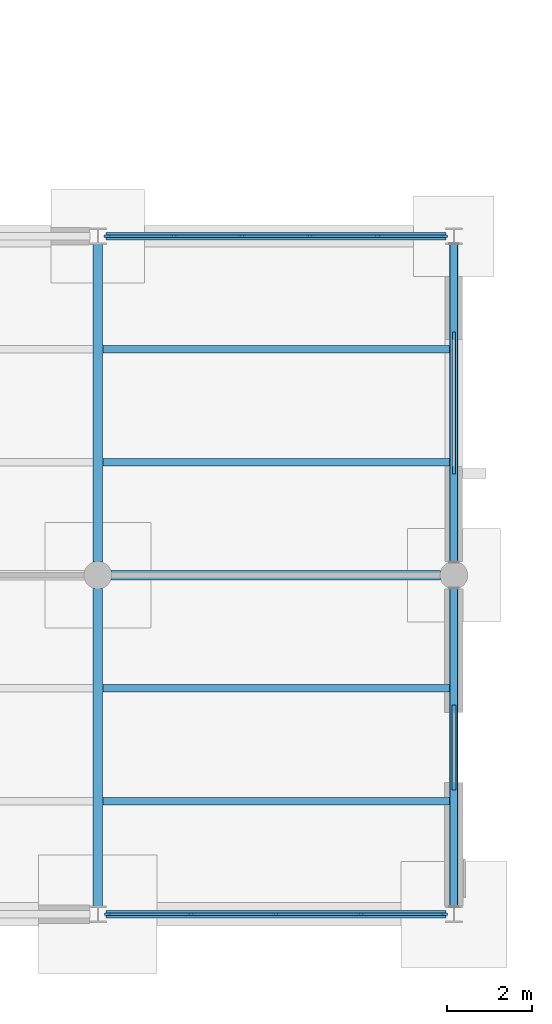
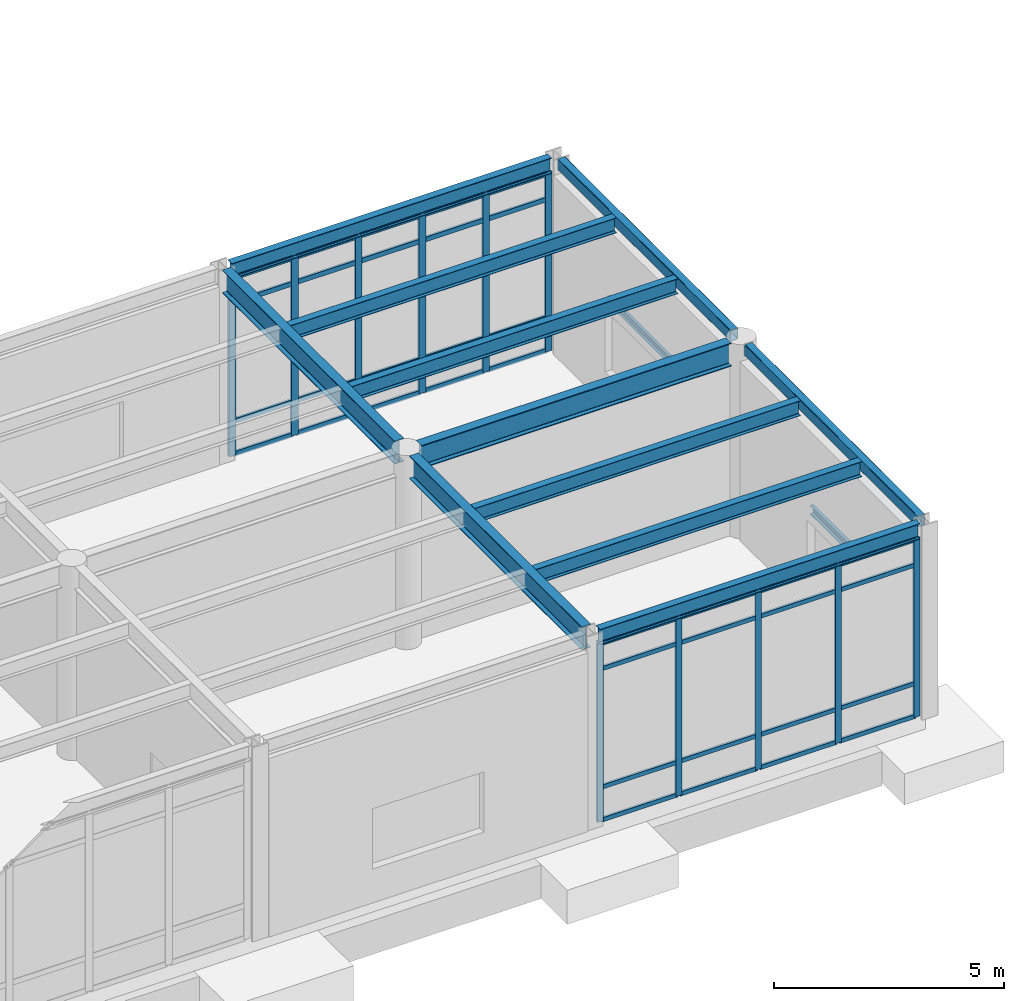
# One storey, part 54 of 138: 47 members, 13 beams, 2 elements without a shape of their own.
"""IFC4 building model written with IfcOpenShell, lengths in metres."""

from ifc_helpers import new_model, si_unit, direction, frame, origin, origin_2d, place, context, subcontext, project, spatial, rectangle, hollow_rectangle, i_section, u_section, extrude, material, layer, layer_set, material_profile, profile_set, type_object, element, aggregate, save


model = new_model("IFC4")

# Units and contexts
model_context = context("Model", 3, precision=1e-05, world=origin(), true_north=direction((0.0, 1.0)))
body_context = subcontext(model_context, "Body", "Model", "MODEL_VIEW")
ifc_project = project(units=[si_unit("LENGTHUNIT", "METRE"), si_unit("AREAUNIT", "SQUARE_METRE"), si_unit("VOLUMEUNIT", "CUBIC_METRE"), si_unit("PLANEANGLEUNIT", "RADIAN"), si_unit("MASSUNIT", "GRAM", prefix="KILO")], contexts=[model_context])

# Site, building, storey
site_placement = place(None, origin())
site = spatial("IfcSite", under=ifc_project, at=site_placement, CompositionType="ELEMENT")
building_placement = place(site_placement, origin())
building = spatial("IfcBuilding", under=site, at=building_placement, Name="Kranzveld Transit Interchange", CompositionType="ELEMENT")
storey_placement = place(building_placement, origin())
storey = spatial("IfcBuildingStorey", under=building, at=storey_placement, Name="L00", CompositionType="ELEMENT", Elevation=0.0)

# Curtain wall, members
ifc_material_1 = material(Name="Bronze-anodised thermally broken aluminium", Category="aluminium")
ifc_layer_1 = layer(ifc_material_1, 0.159912109375)
ifc_layer_set_1 = layer_set([ifc_layer_1], Name="Bronze-anodised thermally broken aluminium")
curtain_wall_type_1 = type_object("IfcCurtainWallType", Name="Bus Boarding Glazed Screen CW-3", PredefinedType="USERDEFINED", material=ifc_layer_set_1)
curtain_wall_1_placement = place(storey_placement, origin())
curtain_wall_1 = element("IfcCurtainWall", 1, at=curtain_wall_1_placement, inside=storey, type_object=curtain_wall_type_1, Name="L00 Curtain Wall 20/A-21/A", ObjectType="CURTAIN WALL", PredefinedType="USERDEFINED")
ifc_material_2 = material(Name="Bronze-anodised thermally broken aluminium", Category="aluminium")
ifc_material_profile_1 = material_profile(ifc_material_2, rectangle(XDim=0.06005859375, YDim=0.14990234375, at=origin_2d()), Name="ALU MULLION 60x150")
ifc_profile_set_1 = profile_set([ifc_material_profile_1], Name="Bronze-anodised thermally broken aluminium")
member_type_1 = type_object("IfcMemberType", Name="Curtain Wall Mullion 60x150 Alu", PredefinedType="MULLION", material=ifc_profile_set_1)
member_1_placement = place(storey_placement, frame((159.82958984375, 0.0, 0.0), z_axis=(0.0, 0.0, 1.0), x_axis=(0.0, 1.0, 0.0)))
member_1 = element("IfcMember", 2, at=member_1_placement, type_object=member_type_1, Name="CW-3 mullion 1", PredefinedType="MULLION", context=body_context, shape_type="SweptSolid", body=[
    extrude(rectangle(XDim=0.06005859375, YDim=0.14990234375, at=origin_2d()), origin(), (0.0, 0.0, 1.0), 4.740478515625),
])
member_2_placement = place(storey_placement, frame((161.7998046875, 0.0, 0.0), z_axis=(0.0, 0.0, 1.0), x_axis=(0.0, 1.0, 0.0)))
member_2 = element("IfcMember", 3, at=member_2_placement, type_object=member_type_1, Name="CW-3 mullion 2", PredefinedType="MULLION", context=body_context, shape_type="SweptSolid", body=[
    extrude(rectangle(XDim=0.06005859375, YDim=0.14990234375, at=origin_2d()), origin(), (0.0, 0.0, 1.0), 4.740478515625),
])
member_3_placement = place(storey_placement, frame((163.800048828125, 0.0, 0.0), z_axis=(0.0, 0.0, 1.0), x_axis=(0.0, 1.0, 0.0)))
member_3 = element("IfcMember", 4, at=member_3_placement, type_object=member_type_1, Name="CW-3 mullion 3", PredefinedType="MULLION", context=body_context, shape_type="SweptSolid", body=[
    extrude(rectangle(XDim=0.06005859375, YDim=0.14990234375, at=origin_2d()), origin(), (0.0, 0.0, 1.0), 4.740478515625),
])
member_4_placement = place(storey_placement, frame((165.80029296875, 0.0, 0.0), z_axis=(0.0, 0.0, 1.0), x_axis=(0.0, 1.0, 0.0)))
member_4 = element("IfcMember", 5, at=member_4_placement, type_object=member_type_1, Name="CW-3 mullion 4", PredefinedType="MULLION", context=body_context, shape_type="SweptSolid", body=[
    extrude(rectangle(XDim=0.06005859375, YDim=0.14990234375, at=origin_2d()), origin(), (0.0, 0.0, 1.0), 4.740478515625),
])
member_5_placement = place(storey_placement, frame((167.7705078125, 0.0, 0.0), z_axis=(0.0, 0.0, 1.0), x_axis=(0.0, 1.0, 0.0)))
member_5 = element("IfcMember", 6, at=member_5_placement, type_object=member_type_1, Name="CW-3 mullion 5", PredefinedType="MULLION", context=body_context, shape_type="SweptSolid", body=[
    extrude(rectangle(XDim=0.06005859375, YDim=0.14990234375, at=origin_2d()), origin(), (0.0, 0.0, 1.0), 4.740478515625),
])

ifc_material_3 = material(Name="Bronze-anodised thermally broken aluminium", Category="aluminium")
ifc_layer_2 = layer(ifc_material_3, 0.1650390625)
ifc_layer_set_2 = layer_set([ifc_layer_2], Name="Bronze-anodised thermally broken aluminium")
curtain_wall_type_2 = type_object("IfcCurtainWallType", Name="Sunny Court Arcade Curtain Wall CW-2", PredefinedType="USERDEFINED", material=ifc_layer_set_2)
curtain_wall_2_placement = place(storey_placement, origin())
curtain_wall_2 = element("IfcCurtainWall", 7, at=curtain_wall_2_placement, inside=storey, type_object=curtain_wall_type_2, Name="L00 Curtain Wall 20/C-21/C", ObjectType="CURTAIN WALL", PredefinedType="USERDEFINED")
ifc_material_4 = material(Name="Bronze-anodised thermally broken aluminium", Category="aluminium")
ifc_material_profile_2 = material_profile(ifc_material_4, rectangle(XDim=0.06494140625, YDim=0.1650390625, at=origin_2d()), Name="ALU MULLION 65x165")
ifc_profile_set_2 = profile_set([ifc_material_profile_2], Name="Bronze-anodised thermally broken aluminium")
member_type_2 = type_object("IfcMemberType", Name="Curtain Wall Mullion 65x165 Alu", PredefinedType="MULLION", material=ifc_profile_set_2)
member_6_placement = place(storey_placement, frame((159.83203125, 16.0, 0.0), z_axis=(0.0, 0.0, 1.0), x_axis=(0.0, 1.0, 0.0)))
member_6 = element("IfcMember", 8, at=member_6_placement, type_object=member_type_2, Name="CW-2 mullion 1", PredefinedType="MULLION", context=body_context, shape_type="SweptSolid", body=[
    extrude(rectangle(XDim=0.06494140625, YDim=0.1650390625, at=origin_2d()), origin(), (0.0, 0.0, 1.0), 4.740478515625),
])
member_7_placement = place(storey_placement, frame((161.399658203125, 16.0, 0.0), z_axis=(0.0, 0.0, 1.0), x_axis=(0.0, 1.0, 0.0)))
member_7 = element("IfcMember", 9, at=member_7_placement, type_object=member_type_2, Name="CW-2 mullion 2", PredefinedType="MULLION", context=body_context, shape_type="SweptSolid", body=[
    extrude(rectangle(XDim=0.06494140625, YDim=0.1650390625, at=origin_2d()), origin(), (0.0, 0.0, 1.0), 4.740478515625),
])
member_8_placement = place(storey_placement, frame((163.0, 16.0, 0.0), z_axis=(0.0, 0.0, 1.0), x_axis=(0.0, 1.0, 0.0)))
member_8 = element("IfcMember", 10, at=member_8_placement, type_object=member_type_2, Name="CW-2 mullion 3", PredefinedType="MULLION", context=body_context, shape_type="SweptSolid", body=[
    extrude(rectangle(XDim=0.06494140625, YDim=0.1650390625, at=origin_2d()), origin(), (0.0, 0.0, 1.0), 4.740478515625),
])
member_9_placement = place(storey_placement, frame((164.60009765625, 16.0, 0.0), z_axis=(0.0, 0.0, 1.0), x_axis=(0.0, 1.0, 0.0)))
member_9 = element("IfcMember", 11, at=member_9_placement, type_object=member_type_2, Name="CW-2 mullion 4", PredefinedType="MULLION", context=body_context, shape_type="SweptSolid", body=[
    extrude(rectangle(XDim=0.06494140625, YDim=0.1650390625, at=origin_2d()), origin(), (0.0, 0.0, 1.0), 4.740478515625),
])
member_10_placement = place(storey_placement, frame((166.2001953125, 16.0, 0.0), z_axis=(0.0, 0.0, 1.0), x_axis=(0.0, 1.0, 0.0)))
member_10 = element("IfcMember", 12, at=member_10_placement, type_object=member_type_2, Name="CW-2 mullion 5", PredefinedType="MULLION", context=body_context, shape_type="SweptSolid", body=[
    extrude(rectangle(XDim=0.06494140625, YDim=0.1650390625, at=origin_2d()), origin(), (0.0, 0.0, 1.0), 4.740478515625),
])
member_11_placement = place(storey_placement, frame((167.76806640625, 16.0, 0.0), z_axis=(0.0, 0.0, 1.0), x_axis=(0.0, 1.0, 0.0)))
member_11 = element("IfcMember", 13, at=member_11_placement, type_object=member_type_2, Name="CW-2 mullion 6", PredefinedType="MULLION", context=body_context, shape_type="SweptSolid", body=[
    extrude(rectangle(XDim=0.06494140625, YDim=0.1650390625, at=origin_2d()), origin(), (0.0, 0.0, 1.0), 4.740478515625),
])

# Member
ifc_material_5 = material(Name="Bronze-anodised thermally broken aluminium", Category="aluminium")
ifc_material_profile_3 = material_profile(ifc_material_5, rectangle(XDim=0.06005859375, YDim=0.110107421875, at=origin_2d()), Name="ALU TRANSOM 60x110")
ifc_profile_set_3 = profile_set([ifc_material_profile_3], Name="Bronze-anodised thermally broken aluminium")
member_type_3 = type_object("IfcMemberType", Name="Curtain Wall Transom 60x110 Alu", PredefinedType="USERDEFINED", material=ifc_profile_set_3)
member_12_placement = place(storey_placement, frame((159.859619140625, 0.0, 0.030029296875), z_axis=(1.0, 0.0, 0.0), x_axis=(0.0, 1.0, 0.0)))
member_12 = element("IfcMember", 14, at=member_12_placement, type_object=member_type_3, Name="CW-3 transom 1.1", ObjectType="TRANSOM", PredefinedType="USERDEFINED", context=body_context, shape_type="SweptSolid", body=[
    extrude(rectangle(XDim=0.06005859375, YDim=0.110107421875, at=origin_2d()), origin(), (0.0, 0.0, 1.0), 1.91015625),
])

member_13_placement = place(storey_placement, frame((159.859619140625, 0.0, 0.89990234375), z_axis=(1.0, 0.0, 0.0), x_axis=(0.0, 1.0, 0.0)))
member_13 = element("IfcMember", 15, at=member_13_placement, type_object=member_type_3, Name="CW-3 transom 1.2", ObjectType="TRANSOM", PredefinedType="USERDEFINED", context=body_context, shape_type="SweptSolid", body=[
    extrude(rectangle(XDim=0.06005859375, YDim=0.110107421875, at=origin_2d()), origin(), (0.0, 0.0, 1.0), 1.91015625),
])

member_14_placement = place(storey_placement, frame((159.859619140625, 0.0, 4.04052734375), z_axis=(1.0, 0.0, 0.0), x_axis=(0.0, 1.0, 0.0)))
member_14 = element("IfcMember", 16, at=member_14_placement, type_object=member_type_3, Name="CW-3 transom 1.3", ObjectType="TRANSOM", PredefinedType="USERDEFINED", context=body_context, shape_type="SweptSolid", body=[
    extrude(rectangle(XDim=0.06005859375, YDim=0.110107421875, at=origin_2d()), origin(), (0.0, 0.0, 1.0), 1.91015625),
])

member_15_placement = place(storey_placement, frame((159.859619140625, 0.0, 4.710693359375), z_axis=(1.0, 0.0, 0.0), x_axis=(0.0, 1.0, 0.0)))
member_15 = element("IfcMember", 17, at=member_15_placement, type_object=member_type_3, Name="CW-3 transom 1.4", ObjectType="TRANSOM", PredefinedType="USERDEFINED", context=body_context, shape_type="SweptSolid", body=[
    extrude(rectangle(XDim=0.06005859375, YDim=0.110107421875, at=origin_2d()), origin(), (0.0, 0.0, 1.0), 1.91015625),
])

member_16_placement = place(storey_placement, frame((161.829833984375, 0.0, 0.030029296875), z_axis=(1.0, 0.0, 0.0), x_axis=(0.0, 1.0, 0.0)))
member_16 = element("IfcMember", 18, at=member_16_placement, type_object=member_type_3, Name="CW-3 transom 2.1", ObjectType="TRANSOM", PredefinedType="USERDEFINED", context=body_context, shape_type="SweptSolid", body=[
    extrude(rectangle(XDim=0.06005859375, YDim=0.110107421875, at=origin_2d()), origin(), (0.0, 0.0, 1.0), 1.940185546875),
])

member_17_placement = place(storey_placement, frame((161.829833984375, 0.0, 0.89990234375), z_axis=(1.0, 0.0, 0.0), x_axis=(0.0, 1.0, 0.0)))
member_17 = element("IfcMember", 19, at=member_17_placement, type_object=member_type_3, Name="CW-3 transom 2.2", ObjectType="TRANSOM", PredefinedType="USERDEFINED", context=body_context, shape_type="SweptSolid", body=[
    extrude(rectangle(XDim=0.06005859375, YDim=0.110107421875, at=origin_2d()), origin(), (0.0, 0.0, 1.0), 1.940185546875),
])

member_18_placement = place(storey_placement, frame((161.829833984375, 0.0, 4.04052734375), z_axis=(1.0, 0.0, 0.0), x_axis=(0.0, 1.0, 0.0)))
member_18 = element("IfcMember", 20, at=member_18_placement, type_object=member_type_3, Name="CW-3 transom 2.3", ObjectType="TRANSOM", PredefinedType="USERDEFINED", context=body_context, shape_type="SweptSolid", body=[
    extrude(rectangle(XDim=0.06005859375, YDim=0.110107421875, at=origin_2d()), origin(), (0.0, 0.0, 1.0), 1.940185546875),
])

member_19_placement = place(storey_placement, frame((161.829833984375, 0.0, 4.710693359375), z_axis=(1.0, 0.0, 0.0), x_axis=(0.0, 1.0, 0.0)))
member_19 = element("IfcMember", 21, at=member_19_placement, type_object=member_type_3, Name="CW-3 transom 2.4", ObjectType="TRANSOM", PredefinedType="USERDEFINED", context=body_context, shape_type="SweptSolid", body=[
    extrude(rectangle(XDim=0.06005859375, YDim=0.110107421875, at=origin_2d()), origin(), (0.0, 0.0, 1.0), 1.940185546875),
])

member_20_placement = place(storey_placement, frame((163.830078125, 0.0, 0.030029296875), z_axis=(1.0, 0.0, 0.0), x_axis=(0.0, 1.0, 0.0)))
member_20 = element("IfcMember", 22, at=member_20_placement, type_object=member_type_3, Name="CW-3 transom 3.1", ObjectType="TRANSOM", PredefinedType="USERDEFINED", context=body_context, shape_type="SweptSolid", body=[
    extrude(rectangle(XDim=0.06005859375, YDim=0.110107421875, at=origin_2d()), origin(), (0.0, 0.0, 1.0), 1.940185546875),
])

member_21_placement = place(storey_placement, frame((163.830078125, 0.0, 0.89990234375), z_axis=(1.0, 0.0, 0.0), x_axis=(0.0, 1.0, 0.0)))
member_21 = element("IfcMember", 23, at=member_21_placement, type_object=member_type_3, Name="CW-3 transom 3.2", ObjectType="TRANSOM", PredefinedType="USERDEFINED", context=body_context, shape_type="SweptSolid", body=[
    extrude(rectangle(XDim=0.06005859375, YDim=0.110107421875, at=origin_2d()), origin(), (0.0, 0.0, 1.0), 1.940185546875),
])

member_22_placement = place(storey_placement, frame((163.830078125, 0.0, 4.04052734375), z_axis=(1.0, 0.0, 0.0), x_axis=(0.0, 1.0, 0.0)))
member_22 = element("IfcMember", 24, at=member_22_placement, type_object=member_type_3, Name="CW-3 transom 3.3", ObjectType="TRANSOM", PredefinedType="USERDEFINED", context=body_context, shape_type="SweptSolid", body=[
    extrude(rectangle(XDim=0.06005859375, YDim=0.110107421875, at=origin_2d()), origin(), (0.0, 0.0, 1.0), 1.940185546875),
])

member_23_placement = place(storey_placement, frame((163.830078125, 0.0, 4.710693359375), z_axis=(1.0, 0.0, 0.0), x_axis=(0.0, 1.0, 0.0)))
member_23 = element("IfcMember", 25, at=member_23_placement, type_object=member_type_3, Name="CW-3 transom 3.4", ObjectType="TRANSOM", PredefinedType="USERDEFINED", context=body_context, shape_type="SweptSolid", body=[
    extrude(rectangle(XDim=0.06005859375, YDim=0.110107421875, at=origin_2d()), origin(), (0.0, 0.0, 1.0), 1.940185546875),
])

member_24_placement = place(storey_placement, frame((165.830322265625, 0.0, 0.030029296875), z_axis=(1.0, 0.0, 0.0), x_axis=(0.0, 1.0, 0.0)))
member_24 = element("IfcMember", 26, at=member_24_placement, type_object=member_type_3, Name="CW-3 transom 4.1", ObjectType="TRANSOM", PredefinedType="USERDEFINED", context=body_context, shape_type="SweptSolid", body=[
    extrude(rectangle(XDim=0.06005859375, YDim=0.110107421875, at=origin_2d()), origin(), (0.0, 0.0, 1.0), 1.91015625),
])

member_25_placement = place(storey_placement, frame((165.830322265625, 0.0, 0.89990234375), z_axis=(1.0, 0.0, 0.0), x_axis=(0.0, 1.0, 0.0)))
member_25 = element("IfcMember", 27, at=member_25_placement, type_object=member_type_3, Name="CW-3 transom 4.2", ObjectType="TRANSOM", PredefinedType="USERDEFINED", context=body_context, shape_type="SweptSolid", body=[
    extrude(rectangle(XDim=0.06005859375, YDim=0.110107421875, at=origin_2d()), origin(), (0.0, 0.0, 1.0), 1.91015625),
])

member_26_placement = place(storey_placement, frame((165.830322265625, 0.0, 4.04052734375), z_axis=(1.0, 0.0, 0.0), x_axis=(0.0, 1.0, 0.0)))
member_26 = element("IfcMember", 28, at=member_26_placement, type_object=member_type_3, Name="CW-3 transom 4.3", ObjectType="TRANSOM", PredefinedType="USERDEFINED", context=body_context, shape_type="SweptSolid", body=[
    extrude(rectangle(XDim=0.06005859375, YDim=0.110107421875, at=origin_2d()), origin(), (0.0, 0.0, 1.0), 1.91015625),
])

member_27_placement = place(storey_placement, frame((165.830322265625, 0.0, 4.710693359375), z_axis=(1.0, 0.0, 0.0), x_axis=(0.0, 1.0, 0.0)))
member_27 = element("IfcMember", 29, at=member_27_placement, type_object=member_type_3, Name="CW-3 transom 4.4", ObjectType="TRANSOM", PredefinedType="USERDEFINED", context=body_context, shape_type="SweptSolid", body=[
    extrude(rectangle(XDim=0.06005859375, YDim=0.110107421875, at=origin_2d()), origin(), (0.0, 0.0, 1.0), 1.91015625),
])

aggregate(curtain_wall_1, [member_1, member_2, member_3, member_4, member_5, member_12, member_13, member_14, member_15, member_16, member_17, member_18, member_19, member_20, member_21, member_22, member_23, member_24, member_25, member_26, member_27])

ifc_material_6 = material(Name="Bronze-anodised thermally broken aluminium", Category="aluminium")
ifc_material_profile_4 = material_profile(ifc_material_6, rectangle(XDim=0.06005859375, YDim=0.125, at=origin_2d()), Name="ALU TRANSOM 60x125")
ifc_profile_set_4 = profile_set([ifc_material_profile_4], Name="Bronze-anodised thermally broken aluminium")
member_type_4 = type_object("IfcMemberType", Name="Curtain Wall Transom 60x125 Alu", PredefinedType="USERDEFINED", material=ifc_profile_set_4)
member_28_placement = place(storey_placement, frame((159.864501953125, 16.0, 0.030029296875), z_axis=(1.0, 0.0, 0.0), x_axis=(0.0, 1.0, 0.0)))
member_28 = element("IfcMember", 30, at=member_28_placement, type_object=member_type_4, Name="CW-2 transom 1.1", ObjectType="TRANSOM", PredefinedType="USERDEFINED", context=body_context, shape_type="SweptSolid", body=[
    extrude(rectangle(XDim=0.06005859375, YDim=0.125, at=origin_2d()), origin(), (0.0, 0.0, 1.0), 1.502685546875),
])

member_29_placement = place(storey_placement, frame((159.864501953125, 16.0, 0.89990234375), z_axis=(1.0, 0.0, 0.0), x_axis=(0.0, 1.0, 0.0)))
member_29 = element("IfcMember", 31, at=member_29_placement, type_object=member_type_4, Name="CW-2 transom 1.2", ObjectType="TRANSOM", PredefinedType="USERDEFINED", context=body_context, shape_type="SweptSolid", body=[
    extrude(rectangle(XDim=0.06005859375, YDim=0.125, at=origin_2d()), origin(), (0.0, 0.0, 1.0), 1.502685546875),
])

member_30_placement = place(storey_placement, frame((159.864501953125, 16.0, 4.04052734375), z_axis=(1.0, 0.0, 0.0), x_axis=(0.0, 1.0, 0.0)))
member_30 = element("IfcMember", 32, at=member_30_placement, type_object=member_type_4, Name="CW-2 transom 1.3", ObjectType="TRANSOM", PredefinedType="USERDEFINED", context=body_context, shape_type="SweptSolid", body=[
    extrude(rectangle(XDim=0.06005859375, YDim=0.125, at=origin_2d()), origin(), (0.0, 0.0, 1.0), 1.502685546875),
])

member_31_placement = place(storey_placement, frame((159.864501953125, 16.0, 4.710693359375), z_axis=(1.0, 0.0, 0.0), x_axis=(0.0, 1.0, 0.0)))
member_31 = element("IfcMember", 33, at=member_31_placement, type_object=member_type_4, Name="CW-2 transom 1.4", ObjectType="TRANSOM", PredefinedType="USERDEFINED", context=body_context, shape_type="SweptSolid", body=[
    extrude(rectangle(XDim=0.06005859375, YDim=0.125, at=origin_2d()), origin(), (0.0, 0.0, 1.0), 1.502685546875),
])

member_32_placement = place(storey_placement, frame((161.43212890625, 16.0, 0.030029296875), z_axis=(1.0, 0.0, 0.0), x_axis=(0.0, 1.0, 0.0)))
member_32 = element("IfcMember", 34, at=member_32_placement, type_object=member_type_4, Name="CW-2 transom 2.1", ObjectType="TRANSOM", PredefinedType="USERDEFINED", context=body_context, shape_type="SweptSolid", body=[
    extrude(rectangle(XDim=0.06005859375, YDim=0.125, at=origin_2d()), origin(), (0.0, 0.0, 1.0), 1.53515625),
])

member_33_placement = place(storey_placement, frame((161.43212890625, 16.0, 0.89990234375), z_axis=(1.0, 0.0, 0.0), x_axis=(0.0, 1.0, 0.0)))
member_33 = element("IfcMember", 35, at=member_33_placement, type_object=member_type_4, Name="CW-2 transom 2.2", ObjectType="TRANSOM", PredefinedType="USERDEFINED", context=body_context, shape_type="SweptSolid", body=[
    extrude(rectangle(XDim=0.06005859375, YDim=0.125, at=origin_2d()), origin(), (0.0, 0.0, 1.0), 1.53515625),
])

member_34_placement = place(storey_placement, frame((161.43212890625, 16.0, 4.04052734375), z_axis=(1.0, 0.0, 0.0), x_axis=(0.0, 1.0, 0.0)))
member_34 = element("IfcMember", 36, at=member_34_placement, type_object=member_type_4, Name="CW-2 transom 2.3", ObjectType="TRANSOM", PredefinedType="USERDEFINED", context=body_context, shape_type="SweptSolid", body=[
    extrude(rectangle(XDim=0.06005859375, YDim=0.125, at=origin_2d()), origin(), (0.0, 0.0, 1.0), 1.53515625),
])

member_35_placement = place(storey_placement, frame((161.43212890625, 16.0, 4.710693359375), z_axis=(1.0, 0.0, 0.0), x_axis=(0.0, 1.0, 0.0)))
member_35 = element("IfcMember", 37, at=member_35_placement, type_object=member_type_4, Name="CW-2 transom 2.4", ObjectType="TRANSOM", PredefinedType="USERDEFINED", context=body_context, shape_type="SweptSolid", body=[
    extrude(rectangle(XDim=0.06005859375, YDim=0.125, at=origin_2d()), origin(), (0.0, 0.0, 1.0), 1.53515625),
])

member_36_placement = place(storey_placement, frame((163.032470703125, 16.0, 0.030029296875), z_axis=(1.0, 0.0, 0.0), x_axis=(0.0, 1.0, 0.0)))
member_36 = element("IfcMember", 38, at=member_36_placement, type_object=member_type_4, Name="CW-2 transom 3.1", ObjectType="TRANSOM", PredefinedType="USERDEFINED", context=body_context, shape_type="SweptSolid", body=[
    extrude(rectangle(XDim=0.06005859375, YDim=0.125, at=origin_2d()), origin(), (0.0, 0.0, 1.0), 1.53515625),
])

member_37_placement = place(storey_placement, frame((163.032470703125, 16.0, 0.89990234375), z_axis=(1.0, 0.0, 0.0), x_axis=(0.0, 1.0, 0.0)))
member_37 = element("IfcMember", 39, at=member_37_placement, type_object=member_type_4, Name="CW-2 transom 3.2", ObjectType="TRANSOM", PredefinedType="USERDEFINED", context=body_context, shape_type="SweptSolid", body=[
    extrude(rectangle(XDim=0.06005859375, YDim=0.125, at=origin_2d()), origin(), (0.0, 0.0, 1.0), 1.53515625),
])

member_38_placement = place(storey_placement, frame((163.032470703125, 16.0, 4.04052734375), z_axis=(1.0, 0.0, 0.0), x_axis=(0.0, 1.0, 0.0)))
member_38 = element("IfcMember", 40, at=member_38_placement, type_object=member_type_4, Name="CW-2 transom 3.3", ObjectType="TRANSOM", PredefinedType="USERDEFINED", context=body_context, shape_type="SweptSolid", body=[
    extrude(rectangle(XDim=0.06005859375, YDim=0.125, at=origin_2d()), origin(), (0.0, 0.0, 1.0), 1.53515625),
])

member_39_placement = place(storey_placement, frame((163.032470703125, 16.0, 4.710693359375), z_axis=(1.0, 0.0, 0.0), x_axis=(0.0, 1.0, 0.0)))
member_39 = element("IfcMember", 41, at=member_39_placement, type_object=member_type_4, Name="CW-2 transom 3.4", ObjectType="TRANSOM", PredefinedType="USERDEFINED", context=body_context, shape_type="SweptSolid", body=[
    extrude(rectangle(XDim=0.06005859375, YDim=0.125, at=origin_2d()), origin(), (0.0, 0.0, 1.0), 1.53515625),
])

member_40_placement = place(storey_placement, frame((164.632568359375, 16.0, 0.030029296875), z_axis=(1.0, 0.0, 0.0), x_axis=(0.0, 1.0, 0.0)))
member_40 = element("IfcMember", 42, at=member_40_placement, type_object=member_type_4, Name="CW-2 transom 4.1", ObjectType="TRANSOM", PredefinedType="USERDEFINED", context=body_context, shape_type="SweptSolid", body=[
    extrude(rectangle(XDim=0.06005859375, YDim=0.125, at=origin_2d()), origin(), (0.0, 0.0, 1.0), 1.53515625),
])

member_41_placement = place(storey_placement, frame((164.632568359375, 16.0, 0.89990234375), z_axis=(1.0, 0.0, 0.0), x_axis=(0.0, 1.0, 0.0)))
member_41 = element("IfcMember", 43, at=member_41_placement, type_object=member_type_4, Name="CW-2 transom 4.2", ObjectType="TRANSOM", PredefinedType="USERDEFINED", context=body_context, shape_type="SweptSolid", body=[
    extrude(rectangle(XDim=0.06005859375, YDim=0.125, at=origin_2d()), origin(), (0.0, 0.0, 1.0), 1.53515625),
])

member_42_placement = place(storey_placement, frame((164.632568359375, 16.0, 4.04052734375), z_axis=(1.0, 0.0, 0.0), x_axis=(0.0, 1.0, 0.0)))
member_42 = element("IfcMember", 44, at=member_42_placement, type_object=member_type_4, Name="CW-2 transom 4.3", ObjectType="TRANSOM", PredefinedType="USERDEFINED", context=body_context, shape_type="SweptSolid", body=[
    extrude(rectangle(XDim=0.06005859375, YDim=0.125, at=origin_2d()), origin(), (0.0, 0.0, 1.0), 1.53515625),
])

member_43_placement = place(storey_placement, frame((164.632568359375, 16.0, 4.710693359375), z_axis=(1.0, 0.0, 0.0), x_axis=(0.0, 1.0, 0.0)))
member_43 = element("IfcMember", 45, at=member_43_placement, type_object=member_type_4, Name="CW-2 transom 4.4", ObjectType="TRANSOM", PredefinedType="USERDEFINED", context=body_context, shape_type="SweptSolid", body=[
    extrude(rectangle(XDim=0.06005859375, YDim=0.125, at=origin_2d()), origin(), (0.0, 0.0, 1.0), 1.53515625),
])

member_44_placement = place(storey_placement, frame((166.23291015625, 16.0, 0.030029296875), z_axis=(1.0, 0.0, 0.0), x_axis=(0.0, 1.0, 0.0)))
member_44 = element("IfcMember", 46, at=member_44_placement, type_object=member_type_4, Name="CW-2 transom 5.1", ObjectType="TRANSOM", PredefinedType="USERDEFINED", context=body_context, shape_type="SweptSolid", body=[
    extrude(rectangle(XDim=0.06005859375, YDim=0.125, at=origin_2d()), origin(), (0.0, 0.0, 1.0), 1.502685546875),
])

member_45_placement = place(storey_placement, frame((166.23291015625, 16.0, 0.89990234375), z_axis=(1.0, 0.0, 0.0), x_axis=(0.0, 1.0, 0.0)))
member_45 = element("IfcMember", 47, at=member_45_placement, type_object=member_type_4, Name="CW-2 transom 5.2", ObjectType="TRANSOM", PredefinedType="USERDEFINED", context=body_context, shape_type="SweptSolid", body=[
    extrude(rectangle(XDim=0.06005859375, YDim=0.125, at=origin_2d()), origin(), (0.0, 0.0, 1.0), 1.502685546875),
])

member_46_placement = place(storey_placement, frame((166.23291015625, 16.0, 4.04052734375), z_axis=(1.0, 0.0, 0.0), x_axis=(0.0, 1.0, 0.0)))
member_46 = element("IfcMember", 48, at=member_46_placement, type_object=member_type_4, Name="CW-2 transom 5.3", ObjectType="TRANSOM", PredefinedType="USERDEFINED", context=body_context, shape_type="SweptSolid", body=[
    extrude(rectangle(XDim=0.06005859375, YDim=0.125, at=origin_2d()), origin(), (0.0, 0.0, 1.0), 1.502685546875),
])

member_47_placement = place(storey_placement, frame((166.23291015625, 16.0, 4.710693359375), z_axis=(1.0, 0.0, 0.0), x_axis=(0.0, 1.0, 0.0)))
member_47 = element("IfcMember", 49, at=member_47_placement, type_object=member_type_4, Name="CW-2 transom 5.4", ObjectType="TRANSOM", PredefinedType="USERDEFINED", context=body_context, shape_type="SweptSolid", body=[
    extrude(rectangle(XDim=0.06005859375, YDim=0.125, at=origin_2d()), origin(), (0.0, 0.0, 1.0), 1.502685546875),
])

aggregate(curtain_wall_2, [member_6, member_7, member_8, member_9, member_10, member_11, member_28, member_29, member_30, member_31, member_32, member_33, member_34, member_35, member_36, member_37, member_38, member_39, member_40, member_41, member_42, member_43, member_44, member_45, member_46, member_47])

# Beams
ifc_material_7 = material(Name="Steel S355JR", Category="steel")
ifc_material_profile_5 = material_profile(ifc_material_7, hollow_rectangle(XDim=0.199951171875, YDim=0.300048828125, WallThickness=0.010009765625, InnerFilletRadius=0.014892578125, OuterFilletRadius=0.02490234375, at=origin_2d()), Name="RHS 300x200x10")
ifc_profile_set_5 = profile_set([ifc_material_profile_5], Name="Steel S355JR")
beam_type_1 = type_object("IfcBeamType", Name="Edge Spandrel RHS 300x200x10 S355JR", PredefinedType="SPANDREL", material=ifc_profile_set_5)
for number, where, z_axis, x_axis, name in (
    (50, (168.0, 0.186767578125, 5.0), (0.0, 1.0, 0.0), (-1.0, 0.0, 0.0), "L00 Girder 21/A-B"),
    (51, (168.0, 8.31494140625, 5.0), (0.0, 1.0, 0.0), (-1.0, 0.0, 0.0), "L00 Girder 21/B-C"),
):
    element("IfcBeam", number, at=place(storey_placement, frame(where, z_axis=z_axis, x_axis=x_axis)), inside=storey, type_object=beam_type_1, Name=name, PredefinedType="SPANDREL", context=body_context, shape_type="SweptSolid", body=[
        extrude(hollow_rectangle(XDim=0.199951171875, YDim=0.300048828125, WallThickness=0.010009765625, InnerFilletRadius=0.014892578125, OuterFilletRadius=0.02490234375, at=origin_2d()), origin(), (0.0, 0.0, 1.0), 7.498291015625),
    ])
ifc_material_8 = material(Name="Steel S355JR", Category="steel")
ifc_material_profile_6 = material_profile(ifc_material_8, i_section(OverallWidth=0.1787109375, OverallDepth=0.409423828125, WebThickness=0.0087890625, FlangeThickness=0.014404296875, FilletRadius=0.01025390625, at=origin_2d()), Name="UB 406x178x67")
ifc_profile_set_6 = profile_set([ifc_material_profile_6], Name="Steel S355JR")
beam_type_2 = type_object("IfcBeamType", Name="Facade Spandrel UB 406x178x67 S355JR", PredefinedType="SPANDREL", material=ifc_profile_set_6)
for number, where, z_axis, x_axis, name in (
    (52, (159.78955078125, 0.0, 4.9453125), (1.0, 0.0, 0.0), (0.0, 1.0, 0.0), "L00 Girder 20-21/A"),
    (53, (159.78955078125, 16.0, 4.9453125), (1.0, 0.0, 0.0), (0.0, 1.0, 0.0), "L00 Girder 20-21/C"),
):
    element("IfcBeam", number, at=place(storey_placement, frame(where, z_axis=z_axis, x_axis=x_axis)), inside=storey, type_object=beam_type_2, Name=name, PredefinedType="SPANDREL", context=body_context, shape_type="SweptSolid", body=[
        extrude(i_section(OverallWidth=0.1787109375, OverallDepth=0.409423828125, WebThickness=0.0087890625, FlangeThickness=0.014404296875, FilletRadius=0.01025390625, at=origin_2d()), origin(), (0.0, 0.0, 1.0), 8.02099609375),
    ])
ifc_material_9 = material(Name="Steel S355JR", Category="steel")
ifc_material_profile_7 = material_profile(ifc_material_9, i_section(OverallWidth=0.177734375, OverallDepth=0.402587890625, WebThickness=0.0078125, FlangeThickness=0.010986328125, FilletRadius=0.01025390625, at=origin_2d()), Name="UB 406x178x54")
ifc_profile_set_7 = profile_set([ifc_material_profile_7], Name="Steel S355JR")
beam_type_3 = type_object("IfcBeamType", Name="Floor Joist UB 406x178x54 S355JR", PredefinedType="JOIST", material=ifc_profile_set_7)
for number, where, z_axis, x_axis, name in (
    (54, (159.716064453125, 2.666748046875, 4.94873046875), (1.0, 0.0, 0.0), (0.0, 1.0, 0.0), "L00 Secondary Joist 20-21/A.1"),
    (55, (159.716064453125, 5.333251953125, 4.94873046875), (1.0, 0.0, 0.0), (0.0, 1.0, 0.0), "L00 Secondary Joist 20-21/A.2"),
    (56, (159.716064453125, 10.666748046875, 4.94873046875), (1.0, 0.0, 0.0), (0.0, 1.0, 0.0), "L00 Secondary Joist 20-21/B.1"),
    (57, (159.716064453125, 13.333251953125, 4.94873046875), (1.0, 0.0, 0.0), (0.0, 1.0, 0.0), "L00 Secondary Joist 20-21/B.2"),
):
    element("IfcBeam", number, at=place(storey_placement, frame(where, z_axis=z_axis, x_axis=x_axis)), inside=storey, type_object=beam_type_3, Name=name, PredefinedType="JOIST", context=body_context, shape_type="SweptSolid", body=[
        extrude(i_section(OverallWidth=0.177734375, OverallDepth=0.402587890625, WebThickness=0.0078125, FlangeThickness=0.010986328125, FilletRadius=0.01025390625, at=origin_2d()), origin(), (0.0, 0.0, 1.0), 8.181884765625),
    ])
ifc_material_10 = material(Name="Steel S355JR", Category="steel")
ifc_material_profile_8 = material_profile(ifc_material_10, i_section(OverallWidth=0.228271484375, OverallDepth=0.607666015625, WebThickness=0.010986328125, FlangeThickness=0.017333984375, FilletRadius=0.0126953125, at=origin_2d()), Name="UB 610x229x113")
ifc_profile_set_8 = profile_set([ifc_material_profile_8], Name="Steel S355JR")
beam_type_4 = type_object("IfcBeamType", Name="Girder Steel UB 610x229x113 S355JR", PredefinedType="BEAM", material=ifc_profile_set_8)
for number, where, z_axis, x_axis, name in (
    (58, (159.60009765625, 0.186767578125, 4.84619140625), (0.0, 1.0, 0.0), (-1.0, 0.0, 0.0), "L00 Girder 20/A-B"),
    (59, (159.60009765625, 8.31494140625, 4.84619140625), (0.0, 1.0, 0.0), (-1.0, 0.0, 0.0), "L00 Girder 20/B-C"),
):
    element("IfcBeam", number, at=place(storey_placement, frame(where, z_axis=z_axis, x_axis=x_axis)), inside=storey, type_object=beam_type_4, Name=name, PredefinedType="BEAM", context=body_context, shape_type="SweptSolid", body=[
        extrude(i_section(OverallWidth=0.228271484375, OverallDepth=0.607666015625, WebThickness=0.010986328125, FlangeThickness=0.017333984375, FilletRadius=0.0126953125, at=origin_2d()), origin(), (0.0, 0.0, 1.0), 7.498291015625),
    ])
ifc_material_11 = material(Name="Steel S355JR", Category="steel")
ifc_material_profile_9 = material_profile(ifc_material_11, i_section(OverallWidth=0.230224609375, OverallDepth=0.6171875, WebThickness=0.01318359375, FlangeThickness=0.022216796875, FilletRadius=0.0126953125, at=origin_2d()), Name="UB 610x229x140")
ifc_profile_set_9 = profile_set([ifc_material_profile_9], Name="Steel S355JR")
beam_type_5 = type_object("IfcBeamType", Name="Girder Steel UB 610x229x140 S355JR", PredefinedType="BEAM", material=ifc_profile_set_9)
beam_1_placement = place(storey_placement, frame((159.9150390625, 8.0, 4.84130859375), z_axis=(1.0, 0.0, 0.0), x_axis=(0.0, 1.0, 0.0)))
element("IfcBeam", 60, at=beam_1_placement, inside=storey, type_object=beam_type_5, Name="L00 Girder 20-21/B", PredefinedType="BEAM", context=body_context, shape_type="SweptSolid", body=[
    extrude(i_section(OverallWidth=0.230224609375, OverallDepth=0.6171875, WebThickness=0.01318359375, FlangeThickness=0.022216796875, FilletRadius=0.0126953125, at=origin_2d()), origin(), (0.0, 0.0, 1.0), 7.77001953125),
])
ifc_material_12 = material(Name="Steel S355JR", Category="steel")
ifc_material_profile_10 = material_profile(ifc_material_12, u_section(Depth=0.199951171875, FlangeWidth=0.074951171875, WebThickness=0.006103515625, FlangeThickness=0.012451171875, FilletRadius=0.011962890625, at=origin_2d()), Name="PFC 200x75x23")
ifc_profile_set_10 = profile_set([ifc_material_profile_10], Name="Steel S355JR")
beam_type_6 = type_object("IfcBeamType", Name="Masonry Lintel PFC 200x75x23 S355JR", PredefinedType="LINTEL", material=ifc_profile_set_10)
beam_2_placement = place(storey_placement, frame((168.0, 10.384033203125, 2.655029296875), z_axis=(0.0, 1.0, 0.0), x_axis=(-1.0, 0.0, 0.0)))
element("IfcBeam", 61, at=beam_2_placement, inside=storey, type_object=beam_type_6, Name="L00 Window Lintel 044", PredefinedType="LINTEL", context=body_context, shape_type="SweptSolid", body=[
    extrude(u_section(Depth=0.199951171875, FlangeWidth=0.074951171875, WebThickness=0.006103515625, FlangeThickness=0.012451171875, FilletRadius=0.011962890625, at=origin_2d()), origin(), (0.0, 0.0, 1.0), 3.360107421875),
])
ifc_material_13 = material(Name="Steel S355JR", Category="steel")
ifc_material_profile_11 = material_profile(ifc_material_13, u_section(Depth=0.22998046875, FlangeWidth=0.090087890625, WebThickness=0.007568359375, FlangeThickness=0.013916015625, FilletRadius=0.011962890625, at=origin_2d()), Name="PFC 230x90x32")
ifc_profile_set_11 = profile_set([ifc_material_profile_11], Name="Steel S355JR")
beam_type_7 = type_object("IfcBeamType", Name="Masonry Lintel PFC 230x90x32 S355JR", PredefinedType="LINTEL", material=ifc_profile_set_11)
beam_3_placement = place(storey_placement, frame((168.0, 2.930908203125, 2.419921875), z_axis=(0.0, 1.0, 0.0), x_axis=(-1.0, 0.0, 0.0)))
element("IfcBeam", 62, at=beam_3_placement, inside=storey, type_object=beam_type_7, Name="L00 Entrance Door Lintel 011", PredefinedType="LINTEL", context=body_context, shape_type="SweptSolid", body=[
    extrude(u_section(Depth=0.22998046875, FlangeWidth=0.090087890625, WebThickness=0.007568359375, FlangeThickness=0.013916015625, FilletRadius=0.011962890625, at=origin_2d()), origin(), (0.0, 0.0, 1.0), 2.010009765625),
])

save(model, "model.ifc")
